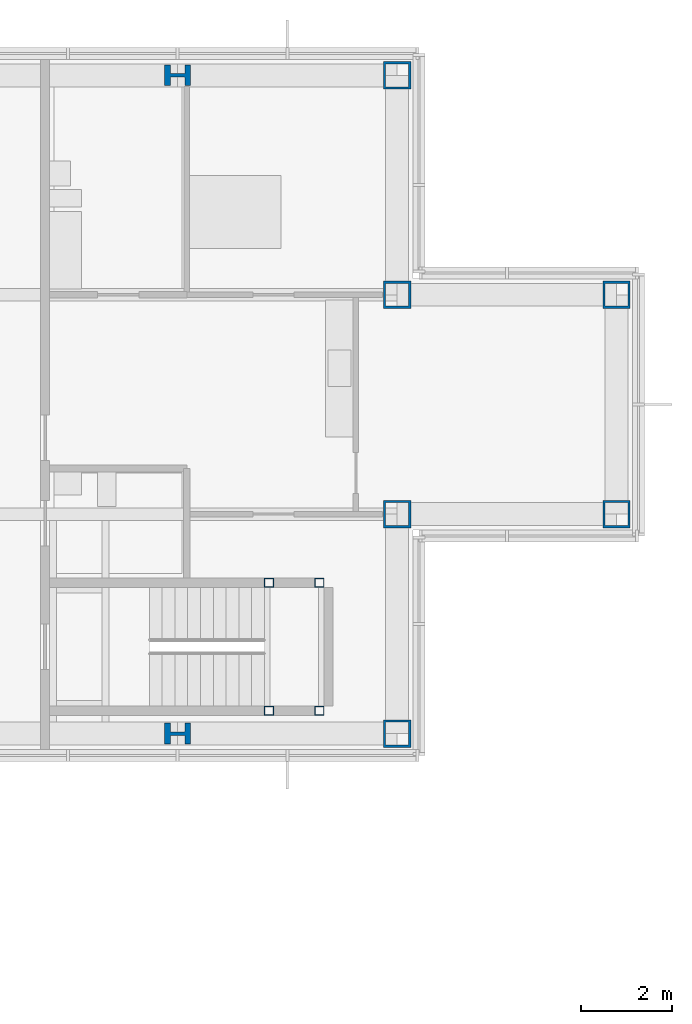
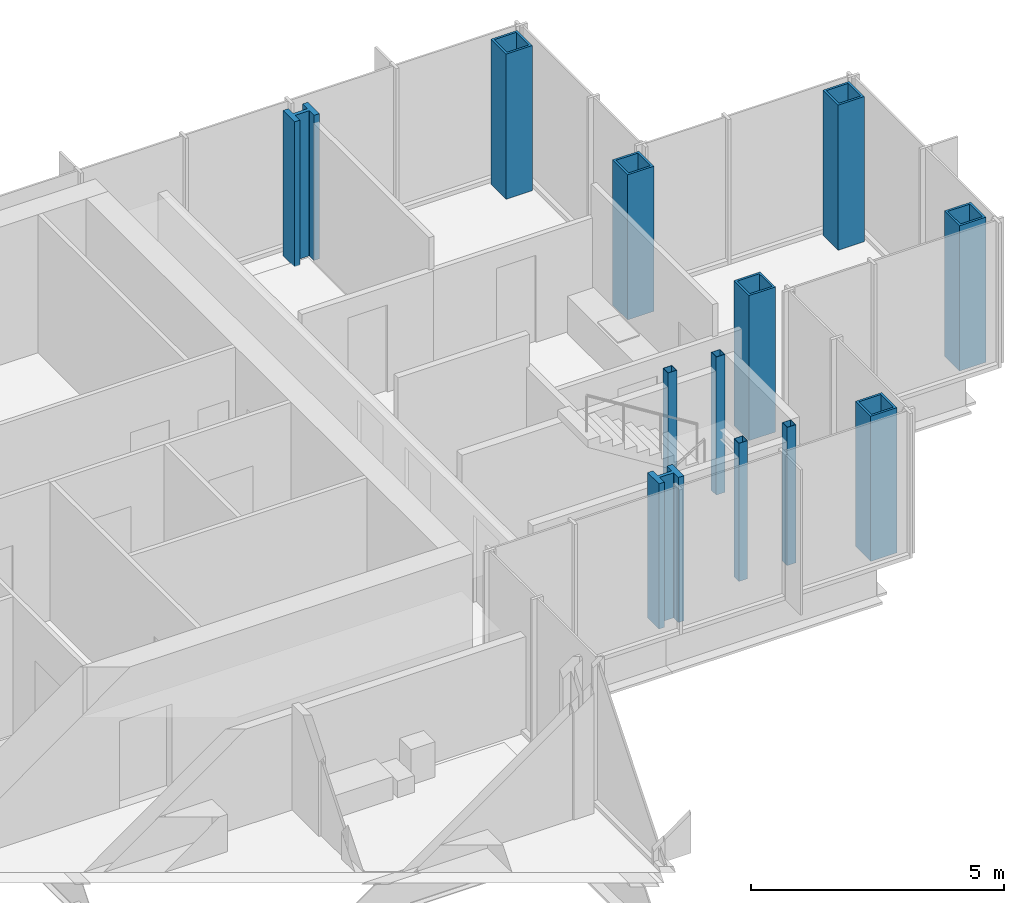
# One storey, part 4 of 15: 12 columns.
"""IFC4 building model written with IfcOpenShell, lengths in metres."""

import ifcopenshell
import ifcopenshell.guid

model = None  # the IFC model being written
_history = None  # IfcOwnerHistory: only IFC2X3 demands one
_inside = {}  # id of a spatial element -> (the spatial element, [elements in it])
_under = {}  # id of a project, library or spatial element -> (it, [spatial elements below it])
_declared = {}  # id of a project -> (the project, [libraries it declares])
_typed = {}  # id of a type object -> (the type object, [elements of that type])
_made_of = {}  # id of a material, layer set ... -> (it, [elements and type objects made of it])


def new_model(schema):
    """Start an empty IFC model of exactly this schema.

    Asked for "IFC4X3", IfcOpenShell would pick the latest addendum, in which some entities
    have other attributes; the version numbers below select the first issue.
    IFC2X3 requires an IfcOwnerHistory on every rooted entity: one is made here for all.
    """
    global model, _history
    if schema == "IFC4X3":
        model = ifcopenshell.file(schema_version=(4, 3, 0, 0))
    else:
        model = ifcopenshell.file(schema=schema)
    _inside.clear()
    _under.clear()
    _declared.clear()
    _typed.clear()
    _made_of.clear()
    _history = None
    if model.schema == "IFC2X3":
        org = make("IfcOrganization", Name="unknown")
        user = make(
            "IfcPersonAndOrganization",
            ThePerson=make("IfcPerson", FamilyName="unknown"),
            TheOrganization=org,
        )
        app = make(
            "IfcApplication",
            ApplicationDeveloper=org,
            Version="unknown",
            ApplicationFullName="unknown",
            ApplicationIdentifier="unknown",
        )
        _history = make(
            "IfcOwnerHistory",
            OwningUser=user,
            OwningApplication=app,
            ChangeAction="ADDED",
            CreationDate=0,
        )
    return model


def make(cls, **values):
    """One entity of the class cls with the attributes given. An attribute that is None is left unset."""
    return model.create_entity(
        cls, **{name: value for name, value in values.items() if value is not None}
    )


def rooted(cls, **values):
    """An entity with a GlobalId (a new one), such as an element, a storey or a relation."""
    return make(cls, GlobalId=ifcopenshell.guid.new(), OwnerHistory=_history, **values)


def si_unit(unit_type, name, prefix=None):
    """IfcSIUnit, for example si_unit("LENGTHUNIT", "METRE", prefix="MILLI")."""
    return make("IfcSIUnit", UnitType=unit_type, Prefix=prefix, Name=name)


def assignment(units):
    """IfcUnitAssignment: the units of a project."""
    return None if units is None else make("IfcUnitAssignment", Units=units)


def point(xyz):
    """IfcCartesianPoint."""
    return None if xyz is None else make("IfcCartesianPoint", Coordinates=xyz)


def direction(xyz):
    """IfcDirection."""
    return None if xyz is None else make("IfcDirection", DirectionRatios=xyz)


def frame(location, z_axis=None, x_axis=None):
    """IfcAxis2Placement3D, a coordinate frame: its origin and axes. An axis left out is left unset."""
    return make(
        "IfcAxis2Placement3D",
        Location=point(location),
        Axis=direction(z_axis),
        RefDirection=direction(x_axis),
    )


def frame_2d(location, x_axis=None):
    """IfcAxis2Placement2D, a coordinate frame in the plane: its origin and x axis."""
    return make(
        "IfcAxis2Placement2D", Location=point(location), RefDirection=direction(x_axis)
    )


def origin():
    """The frame at (0, 0, 0) with its axes left unset."""
    return frame((0.0, 0.0, 0.0))


def origin_2d():
    """The frame at (0, 0) in the plane with its x axis left unset."""
    return frame_2d((0.0, 0.0))


def place(relative_to, where):
    """IfcLocalPlacement: puts the frame where relative to a parent placement (None: the world)."""
    return make(
        "IfcLocalPlacement", PlacementRelTo=relative_to, RelativePlacement=where
    )


def context(
    kind, dimensions, precision=None, world=None, true_north=None, identifier=None
):
    """IfcGeometricRepresentationContext, for example the 3D "Model" context."""
    return make(
        "IfcGeometricRepresentationContext",
        ContextIdentifier=identifier,
        ContextType=kind,
        CoordinateSpaceDimension=dimensions,
        Precision=precision,
        WorldCoordinateSystem=world,
        TrueNorth=true_north,
    )


def subcontext(parent, identifier, kind, view, scale=None):
    """IfcGeometricRepresentationSubContext, for example "Body" below "Model"."""
    return make(
        "IfcGeometricRepresentationSubContext",
        ContextIdentifier=identifier,
        ContextType=kind,
        ParentContext=parent,
        TargetScale=scale,
        TargetView=view,
    )


def project(units=None, contexts=None):
    """IfcProject with its units and contexts."""
    return rooted(
        "IfcProject",
        Name="project",
        RepresentationContexts=contexts,
        UnitsInContext=assignment(units),
    )


def spatial(cls, under=None, at=None, **own):
    """A site, building, storey or space (cls), placed at a placement, below another one or the project."""
    s = rooted(cls, ObjectPlacement=at, **own)
    if under is not None:
        _under.setdefault(under.id(), (under, []))[1].append(s)
    return s


def profile(cls, at=None, kind="AREA", **sizes):
    """A parametric profile (cls). Its sizes go by their IFC names, for example OverallWidth=200.0."""
    return make(cls, ProfileType=kind, Position=at, **sizes)


def hollow_rectangle(**sizes):
    """IfcRectangleHollowProfileDef."""
    return profile("IfcRectangleHollowProfileDef", **sizes)


def i_section(**sizes):
    """IfcIShapeProfileDef."""
    return profile("IfcIShapeProfileDef", **sizes)


def extrude(swept, where, along, depth):
    """IfcExtrudedAreaSolid: the profile swept, set in the frame where, extruded along a direction by depth."""
    return make(
        "IfcExtrudedAreaSolid",
        SweptArea=swept,
        Position=where,
        ExtrudedDirection=direction(along),
        Depth=depth,
    )


def shape(context_of_items, identifier, shape_type, items):
    """IfcShapeRepresentation: the items that make up one representation, for example the "Body"."""
    return make(
        "IfcShapeRepresentation",
        ContextOfItems=context_of_items,
        RepresentationIdentifier=identifier,
        RepresentationType=shape_type,
        Items=items,
    )


def material(Name=None, Category=None):
    """IfcMaterial."""
    return make("IfcMaterial", Name=Name, Category=Category)


def material_profile(
    of_material, cross_section, Name=None, Category=None, Priority=None
):
    """IfcMaterialProfile: a cross section and its material."""
    return make(
        "IfcMaterialProfile",
        Name=Name,
        Material=of_material,
        Profile=cross_section,
        Priority=Priority,
        Category=Category,
    )


def profile_set(profiles, Name=None, composite=None):
    """IfcMaterialProfileSet."""
    return make(
        "IfcMaterialProfileSet",
        Name=Name,
        MaterialProfiles=profiles,
        CompositeProfile=composite,
    )


def made_of(thing, what):
    """Note that an element or type object is made of a material, layer set ...; save() writes the relation."""
    if what is not None:
        _made_of.setdefault(what.id(), (what, []))[1].append(thing)
    return thing


def type_object(cls, material=None, **own):
    """A type object (cls), such as IfcWallType, which elements share."""
    return made_of(rooted(cls, **own), material)


def element(
    cls,
    number,
    at=None,
    inside=None,
    cuts=None,
    type_object=None,
    material=None,
    context=None,
    identifier="Body",
    shape_type=None,
    held_by="IfcProductDefinitionShape",
    body=None,
    shapes=None,
    **own,
):
    """One element of the class cls, such as IfcWall. Its Tag is "e" and its number.

    at: its placement. inside: the storey or other place that contains it. cuts: it is an
    opening in that element (IfcRelVoidsElement). A single representation is given by context,
    identifier, shape_type and body (its items); several are given by shapes. held_by: the class
    of the entity that holds the representations. save() writes the other relations.
    """
    e = rooted(cls, Tag="e%d" % number, ObjectPlacement=at, **own)
    if body is not None:
        shapes = [shape(context, identifier, shape_type, body)]
    if shapes is not None:
        e.Representation = make(held_by, Representations=shapes)
    if inside is not None:
        _inside.setdefault(inside.id(), (inside, []))[1].append(e)
    if cuts is not None:
        rooted(
            "IfcRelVoidsElement", RelatingBuildingElement=cuts, RelatedOpeningElement=e
        )
    if type_object is not None:
        _typed.setdefault(type_object.id(), (type_object, []))[1].append(e)
    return made_of(e, material)


def aggregate(whole, parts):
    """IfcRelAggregates: a whole, such as a stair, and the parts it consists of."""
    return rooted("IfcRelAggregates", RelatingObject=whole, RelatedObjects=parts)


def save(model, path):
    """Write the relations noted so far, then the file.

    IfcRelAggregates (storeys below a building ...), IfcRelContainedInSpatialStructure (elements
    in a storey), IfcRelDefinesByType, IfcRelAssociatesMaterial and IfcRelDeclares: one each for
    every whole, place, type object, material and project.
    """
    for whole, parts in _under.values():
        aggregate(whole, parts)
    for where, things in _inside.values():
        rooted(
            "IfcRelContainedInSpatialStructure",
            RelatedElements=things,
            RelatingStructure=where,
        )
    for kind, things in _typed.values():
        rooted("IfcRelDefinesByType", RelatedObjects=things, RelatingType=kind)
    for what, things in _made_of.values():
        rooted("IfcRelAssociatesMaterial", RelatedObjects=things, RelatingMaterial=what)
    for by, libraries in _declared.values():
        rooted("IfcRelDeclares", RelatingContext=by, RelatedDefinitions=libraries)
    model.write(path)


model = new_model("IFC4")

# Units and contexts
model_context = context("Model", 3, precision=1e-05, world=origin(), true_north=direction((0.0, 1.0)))
body_context = subcontext(model_context, "Body", "Model", "MODEL_VIEW")
ifc_project = project(units=[si_unit("LENGTHUNIT", "METRE"), si_unit("AREAUNIT", "SQUARE_METRE"), si_unit("VOLUMEUNIT", "CUBIC_METRE"), si_unit("PLANEANGLEUNIT", "RADIAN"), si_unit("MASSUNIT", "GRAM", prefix="KILO")], contexts=[model_context])

# Site, building, storey
site_placement = place(None, origin())
site = spatial("IfcSite", under=ifc_project, at=site_placement, CompositionType="ELEMENT")
building_placement = place(site_placement, origin())
building = spatial("IfcBuilding", under=site, at=building_placement, Name="Kvirike Care Tower", CompositionType="ELEMENT")
storey_placement = place(building_placement, frame((0.0, 0.0, 198.0)))
storey = spatial("IfcBuildingStorey", under=building, at=storey_placement, Name="L54", CompositionType="ELEMENT", Elevation=198.0)

# Columns
ifc_material_1 = material(Name="Steel S460", Category="steel")
ifc_material_profile_1 = material_profile(ifc_material_1, hollow_rectangle(XDim=0.60009765625, YDim=0.60009765625, WallThickness=0.050048828125, at=origin_2d()), Name="BX 600x600x50")
ifc_profile_set_1 = profile_set([ifc_material_profile_1], Name="Steel S460")
column_type_1 = type_object("IfcColumnType", Name="COLUMN BX 600x600x50", PredefinedType="COLUMN", material=ifc_profile_set_1)
for number, where, z_axis, x_axis, name in (
    (1, (38.39990234375, 28.800048828125, 0.0), (0.0, 0.0, 1.0), (0.0, 1.0, 0.0), "Column G11 L54"),
    (2, (38.39990234375, 33.60009765625, 0.0), (0.0, 0.0, 1.0), (0.0, 1.0, 0.0), "Column H11 L54"),
    (3, (38.39990234375, 38.39990234375, 0.0), (0.0, 0.0, 1.0), (0.0, 1.0, 0.0), "Column J11 L54"),
    (4, (38.39990234375, 43.199951171875, 0.0), (0.0, 0.0, 1.0), (0.0, 1.0, 0.0), "Column K11 L54"),
    (5, (43.199951171875, 33.60009765625, 0.0), (0.0, 0.0, 1.0), (0.0, 1.0, 0.0), "Column H12 L54"),
    (6, (43.199951171875, 38.39990234375, 0.0), (0.0, 0.0, 1.0), (0.0, 1.0, 0.0), "Column J12 L54"),
):
    element("IfcColumn", number, at=place(storey_placement, frame(where, z_axis=z_axis, x_axis=x_axis)), inside=storey, type_object=column_type_1, Name=name, PredefinedType="COLUMN", context=body_context, shape_type="SweptSolid", body=[
        extrude(hollow_rectangle(XDim=0.60009765625, YDim=0.60009765625, WallThickness=0.050048828125, at=origin_2d()), origin(), (0.0, 0.0, 1.0), 3.5),
    ])
ifc_material_2 = material(Name="Steel S460", Category="steel")
ifc_material_profile_2 = material_profile(ifc_material_2, i_section(OverallWidth=0.4541015625, OverallDepth=0.569091796875, WebThickness=0.077880859375, FlangeThickness=0.125, FilletRadius=0.014892578125, at=origin_2d()), Name="HD 400x1086")
ifc_profile_set_2 = profile_set([ifc_material_profile_2], Name="Steel S460")
column_type_2 = type_object("IfcColumnType", Name="COLUMN HD 400x1086", PredefinedType="COLUMN", material=ifc_profile_set_2)
for number, where, z_axis, x_axis, name in (
    (7, (33.60009765625, 28.800048828125, 0.0), (0.0, 0.0, 1.0), (0.0, 1.0, 0.0), "Column G10 L54"),
    (8, (33.60009765625, 43.199951171875, 0.0), (0.0, 0.0, 1.0), (0.0, 1.0, 0.0), "Column K10 L54"),
):
    element("IfcColumn", number, at=place(storey_placement, frame(where, z_axis=z_axis, x_axis=x_axis)), inside=storey, type_object=column_type_2, Name=name, PredefinedType="COLUMN", context=body_context, shape_type="SweptSolid", body=[
        extrude(i_section(OverallWidth=0.4541015625, OverallDepth=0.569091796875, WebThickness=0.077880859375, FlangeThickness=0.125, FilletRadius=0.014892578125, at=origin_2d()), origin(), (0.0, 0.0, 1.0), 3.5),
    ])
ifc_material_3 = material(Name="Steel S460", Category="steel")
ifc_material_profile_3 = material_profile(ifc_material_3, hollow_rectangle(XDim=0.199951171875, YDim=0.199951171875, WallThickness=0.008056640625, at=origin_2d()), Name="SHS 200x200x8")
ifc_profile_set_3 = profile_set([ifc_material_profile_3], Name="Steel S460")
column_type_3 = type_object("IfcColumnType", Name="STAIR POST SHS 200x200x8", PredefinedType="COLUMN", material=ifc_profile_set_3)
for number, where, z_axis, x_axis, name in (
    (9, (36.699951171875, 29.300048828125, 0.0), (0.0, 0.0, 1.0), (1.0, 0.0, 0.0), "Stair 2 post 1 L54"),
    (10, (36.699951171875, 32.10009765625, 0.0), (0.0, 0.0, 1.0), (1.0, 0.0, 0.0), "Stair 2 post 2 L54"),
    (11, (35.60009765625, 29.300048828125, 0.0), (0.0, 0.0, 1.0), (1.0, 0.0, 0.0), "Stair 2 post 3 L54"),
    (12, (35.60009765625, 32.10009765625, 0.0), (0.0, 0.0, 1.0), (1.0, 0.0, 0.0), "Stair 2 post 4 L54"),
):
    element("IfcColumn", number, at=place(storey_placement, frame(where, z_axis=z_axis, x_axis=x_axis)), inside=storey, type_object=column_type_3, Name=name, PredefinedType="COLUMN", context=body_context, shape_type="SweptSolid", body=[
        extrude(hollow_rectangle(XDim=0.199951171875, YDim=0.199951171875, WallThickness=0.008056640625, at=origin_2d()), origin(), (0.0, 0.0, 1.0), 3.330078125),
    ])

save(model, "model.ifc")
